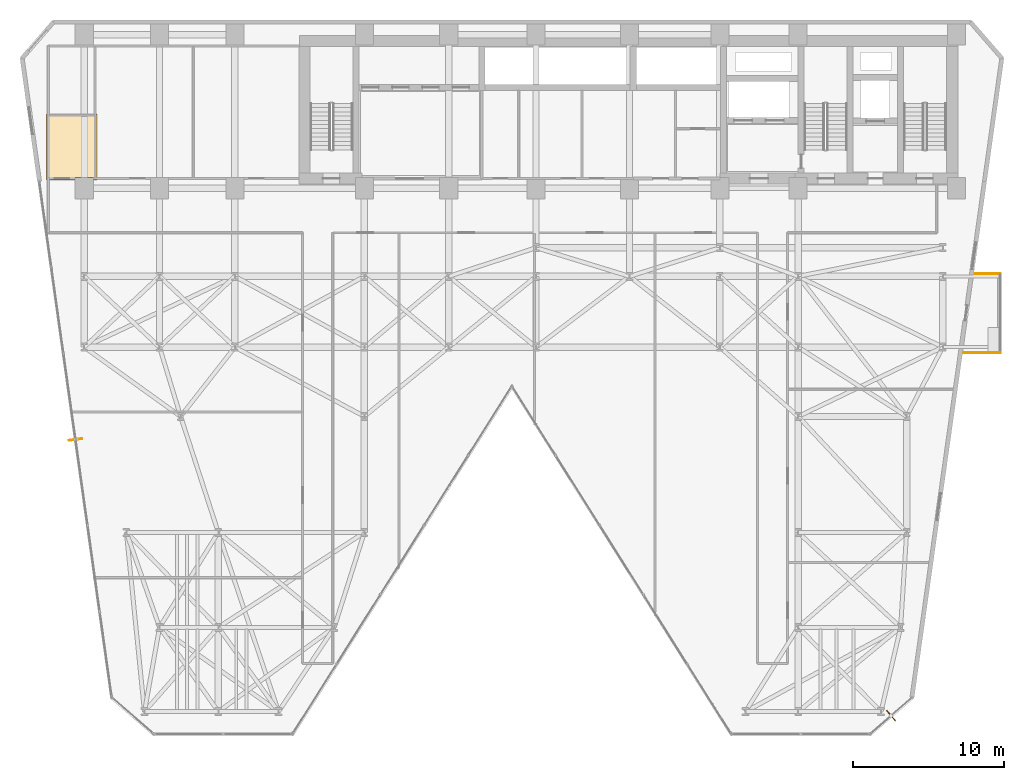
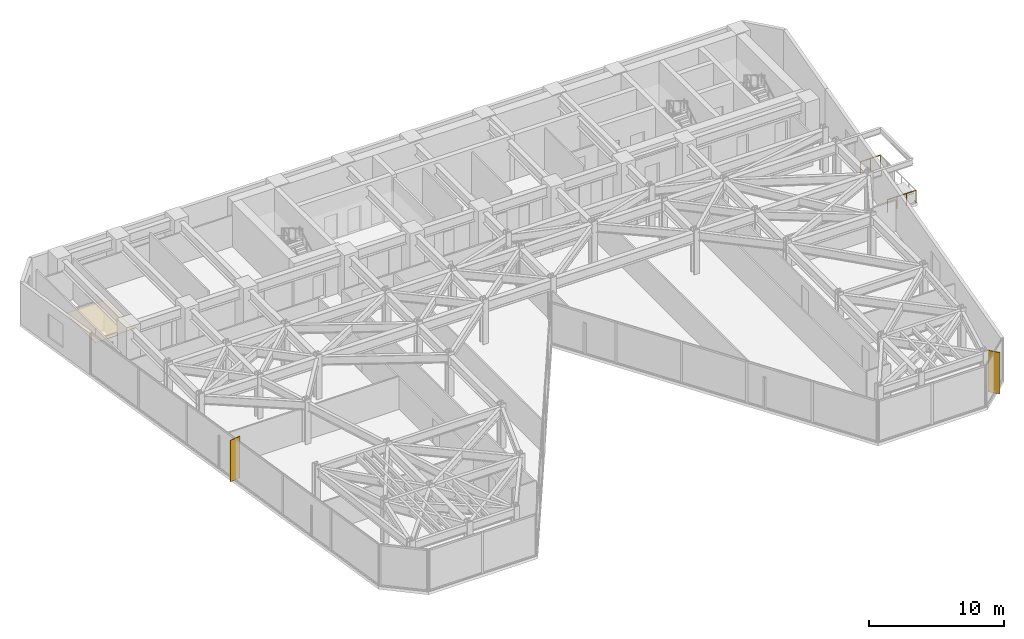
# One storey, part 23 of 25: 2 railings, 2 shading devices, 1 covering.
"""IFC4 building model written with IfcOpenShell, lengths in metres."""

from ifc_helpers import new_model, si_unit, direction, frame, origin, origin_2d, place, context, subcontext, project, spatial, polyline, rectangle, circle, outline, extrude, material, layer, layer_set, type_object, element, save


model = new_model("IFC4")

# Units and contexts
model_context = context("Model", 3, precision=1e-05, world=origin(), true_north=direction((0.0, 1.0)))
body_context = subcontext(model_context, "Body", "Model", "MODEL_VIEW")
ifc_project = project(units=[si_unit("LENGTHUNIT", "METRE"), si_unit("AREAUNIT", "SQUARE_METRE"), si_unit("VOLUMEUNIT", "CUBIC_METRE"), si_unit("PLANEANGLEUNIT", "RADIAN"), si_unit("MASSUNIT", "GRAM", prefix="KILO")], contexts=[model_context])

# Site, building, storey
site_placement = place(None, origin())
site = spatial("IfcSite", under=ifc_project, at=site_placement, CompositionType="ELEMENT")
building_placement = place(site_placement, origin())
building = spatial("IfcBuilding", under=site, at=building_placement, Name="Kravanh Interchange Tower", CompositionType="ELEMENT")
storey_placement = place(building_placement, frame((0.0, 0.0, 49.5)))
storey = spatial("IfcBuildingStorey", under=building, at=storey_placement, Name="L11", CompositionType="ELEMENT", Elevation=49.5)

# Covering
ifc_material_1 = material(Name="Acoustic Mineral Fibre Tile on Aluminium Grid", Category="aluminium")
ifc_layer_1 = layer(ifc_material_1, 0.02490234375)
ifc_layer_set_1 = layer_set([ifc_layer_1], Name="Perforated Acoustic Mineral Ceiling 25mm")
covering_type = type_object("IfcCoveringType", Name="Perforated Acoustic Mineral Ceiling 25mm", PredefinedType="CEILING", material=ifc_layer_set_1)
covering_placement = place(storey_placement, frame((0.0, 0.0, 2.550048828125)))
element("IfcCovering", 1, at=covering_placement, inside=storey, type_object=covering_type, Name="L11 Accessible WC Suspended Ceiling", PredefinedType="CEILING", context=body_context, shape_type="SweptSolid", body=[
    extrude(outline(polyline([(9.4599609375, 42.280029296875), (9.4599609375, 37.909912109375), (9.199951171875, 37.909912109375), (9.199951171875, 38.050048828125), (8.0, 38.050048828125), (8.0, 37.909912109375), (6.080078125, 37.909912109375), (6.080078125, 42.280029296875), (9.4599609375, 42.280029296875)])), origin(), (0.0, 0.0, 1.0), 0.02490234375),
])

# Railings
ifc_material_2 = material(Name="Stainless Steel 316", Category="steel")
ifc_layer_2 = layer(ifc_material_2, 0.06005859375)
ifc_layer_set_2 = layer_set([ifc_layer_2], Name="Perimeter Balcony and Terrace Guardrail Stainless 316 1120mm")
railing_type = type_object("IfcRailingType", Name="Perimeter Balcony and Terrace Guardrail Stainless 316 1120mm", PredefinedType="GUARDRAIL", material=ifc_layer_set_2)
railing_1_placement = place(storey_placement, frame((69.409912109375, 26.429931640625, 0.0)))
element("IfcRailing", 2, at=railing_1_placement, inside=storey, type_object=railing_type, Name="L11 E Balcony Guardrail 2", PredefinedType="GUARDRAIL", context=body_context, shape_type="SweptSolid", body=[
    extrude(circle(Radius=0.02392578125, at=origin_2d()), frame((0.0, 0.0, 1.09619140625), z_axis=(-1.0, 0.0, 0.0), x_axis=(0.0, -1.0, 0.0)), (0.0, 0.0, 1.0), 2.415771484375),
    extrude(circle(Radius=0.02099609375, at=origin_2d()), origin(), (0.0, 0.0, 1.0), 1.072021484375),
    extrude(circle(Radius=0.02099609375, at=origin_2d()), frame((-0.80517578125, 0.0, 0.0)), (0.0, 0.0, 1.0), 1.072021484375),
    extrude(circle(Radius=0.02099609375, at=origin_2d()), frame((-1.610595703125, 0.0, 0.0)), (0.0, 0.0, 1.0), 1.072021484375),
    extrude(circle(Radius=0.02099609375, at=origin_2d()), frame((-2.415771484375, 0.0, 0.0)), (0.0, 0.0, 1.0), 1.072021484375),
])
railing_2_placement = place(storey_placement, frame((67.730712890625, 31.669921875, 0.0)))
element("IfcRailing", 3, at=railing_2_placement, inside=storey, type_object=railing_type, Name="L11 E Balcony Guardrail 3", PredefinedType="GUARDRAIL", context=body_context, shape_type="SweptSolid", body=[
    extrude(circle(Radius=0.02392578125, at=origin_2d()), frame((0.0, 0.0, 1.09619140625), z_axis=(1.0, 0.0, 0.0), x_axis=(0.0, 1.0, 0.0)), (0.0, 0.0, 1.0), 1.67919921875),
    extrude(circle(Radius=0.02099609375, at=origin_2d()), origin(), (0.0, 0.0, 1.0), 1.072021484375),
    extrude(circle(Radius=0.02099609375, at=origin_2d()), frame((0.839599609375, 0.0, 0.0)), (0.0, 0.0, 1.0), 1.072021484375),
    extrude(circle(Radius=0.02099609375, at=origin_2d()), frame((1.67919921875, 0.0, 0.0)), (0.0, 0.0, 1.0), 1.072021484375),
])

# Shading devices
ifc_material_3 = material(Name="Anodised Champagne Bronze Aluminium", Category="aluminium")
ifc_layer_3 = layer(ifc_material_3, 0.06005859375)
ifc_layer_set_3 = layer_set([ifc_layer_3], Name="Vertical Bronze Solar Fin 900mm")
shading_device_type = type_object("IfcShadingDeviceType", Name="Vertical Bronze Solar Fin 900mm", PredefinedType="USERDEFINED", material=ifc_layer_set_3)
for number, where, z_axis, x_axis, name in (
    (4, (8.03271484375, 20.66845703125, 0.0), (0.0, 0.0, 1.0), (-0.990267798532, -0.139175023587, 0.0), "L11 BRONZE SOLAR FIN 1"),
    (5, (62.16943359375, 2.328369140625, 0.0), (0.0, 0.0, 1.0), (0.656067828783, -0.754701930589, 0.0), "L11 BRONZE SOLAR FIN 2"),
):
    element("IfcShadingDevice", number, at=place(storey_placement, frame(where, z_axis=z_axis, x_axis=x_axis)), inside=storey, type_object=shading_device_type, Name=name, ObjectType="FIN", PredefinedType="USERDEFINED", context=body_context, shape_type="SweptSolid", body=[
        extrude(rectangle(XDim=0.89990234375, YDim=0.06005859375, at=origin_2d()), origin(), (0.0, 0.0, 1.0), 3.739990234375),
    ])

save(model, "model.ifc")
